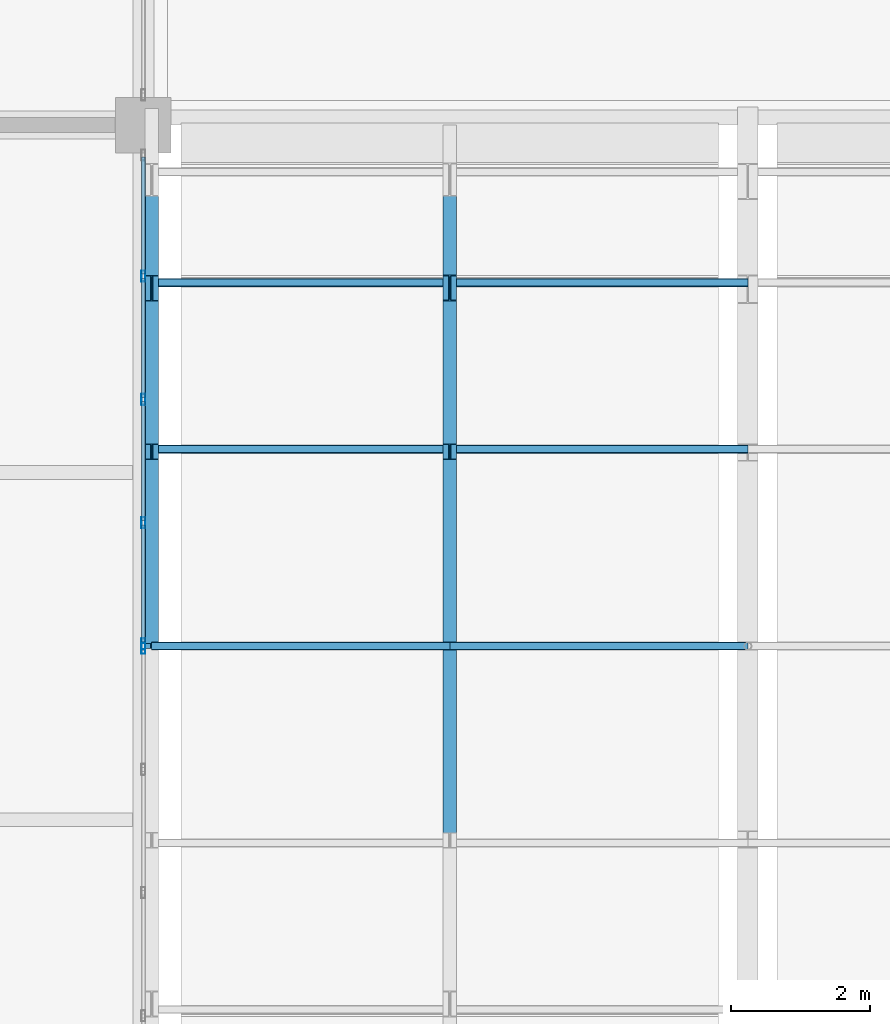
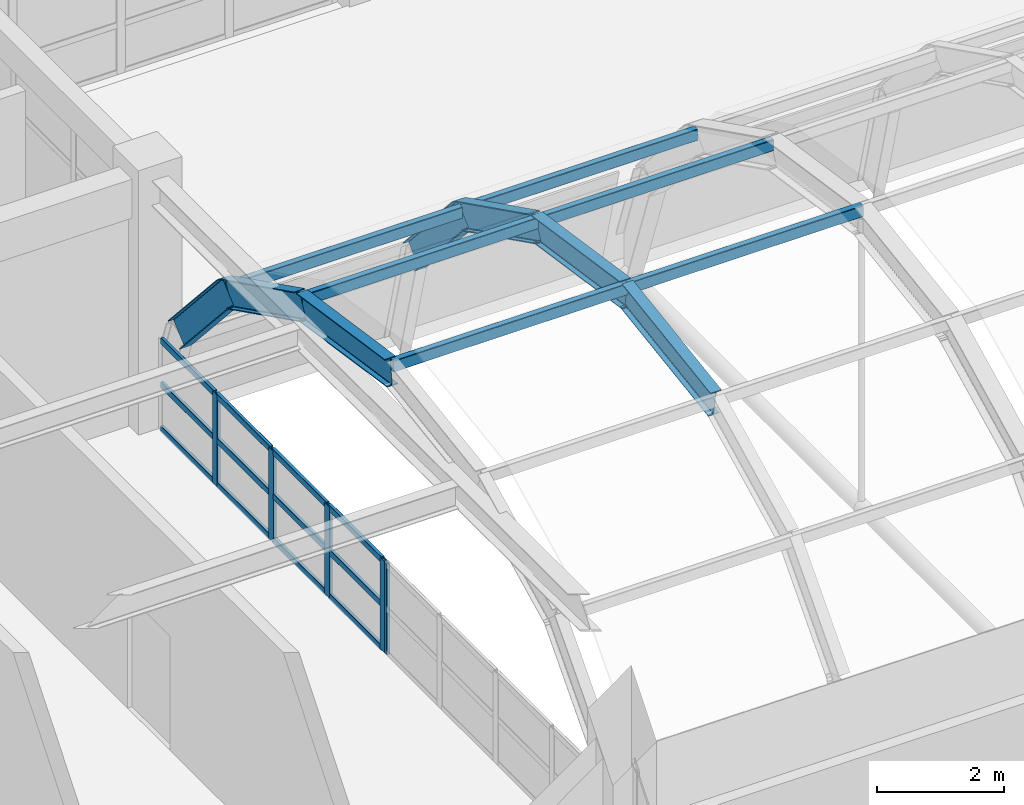
# One storey, part 43 of 124: 23 members, 7 beams, 2 elements without a shape of their own.
"""IFC4 building model written with IfcOpenShell, lengths in metres."""

from ifc_helpers import new_model, si_unit, derived_unit, direction, frame, origin, origin_2d, place, context, subcontext, project, spatial, hollow_rectangle, i_section, extrude, material, layer, layer_set, material_profile, profile_set, type_object, element, aggregate, save


model = new_model("IFC4")

# Units and contexts
model_context = context("Model", 3, precision=1e-05, world=origin(), true_north=direction((0.0, 1.0)))
body_context = subcontext(model_context, "Body", "Model", "MODEL_VIEW")
ifc_project = project(units=[si_unit("LENGTHUNIT", "METRE"), si_unit("AREAUNIT", "SQUARE_METRE"), si_unit("VOLUMEUNIT", "CUBIC_METRE"), si_unit("PLANEANGLEUNIT", "RADIAN"), si_unit("MASSUNIT", "GRAM", prefix="KILO"), derived_unit("THERMALTRANSMITTANCEUNIT", [(si_unit("MASSUNIT", "GRAM", prefix="KILO"), 1), (si_unit("TIMEUNIT", "SECOND"), -3), (si_unit("THERMODYNAMICTEMPERATUREUNIT", "KELVIN"), -1)])], contexts=[model_context])

# Site, building, storey
site_placement = place(None, origin())
site = spatial("IfcSite", under=ifc_project, at=site_placement, CompositionType="ELEMENT")
building_placement = place(site_placement, origin())
building = spatial("IfcBuilding", under=site, at=building_placement, Name="Qinzheling Arcade Emporium", CompositionType="ELEMENT")
storey_placement = place(building_placement, frame((0.0, 0.0, 16.5)))
storey = spatial("IfcBuildingStorey", under=building, at=storey_placement, Name="L04", CompositionType="ELEMENT", Elevation=16.5)

# Beams
ifc_material_1 = material(Name="Weathering steel Q355NH", Category="steel")
ifc_material_profile_1 = material_profile(ifc_material_1, i_section(OverallWidth=0.199951171875, OverallDepth=0.5, WebThickness=0.010009765625, FlangeThickness=0.01611328125, FilletRadius=0.01806640625, at=origin_2d()), Name="HN 500x200x10x16", Category="steel")
ifc_profile_set_1 = profile_set([ifc_material_profile_1], Name="Weathering steel Q355NH")
beam_type = type_object("IfcBeamType", Name="Arcade End Arch Rib HN500 Q355NH", PredefinedType="BEAM", material=ifc_profile_set_1)
beam_1_placement = place(storey_placement, frame((104.52001953125, 57.89990234375, 5.35009765625), z_axis=(0.0, 0.989205317867, -0.146536135829), x_axis=(-1.0, 0.0, 0.0)))
element("IfcBeam", 1, at=beam_1_placement, inside=storey, type_object=beam_type, Name="Arcade Arch Rib VLT-ARCADE-RIB-01-S05", PredefinedType="BEAM", context=body_context, shape_type="SweptSolid", body=[
    extrude(i_section(OverallWidth=0.199951171875, OverallDepth=0.5, WebThickness=0.010009765625, FlangeThickness=0.01611328125, FilletRadius=0.01806640625, at=origin_2d()), origin(), (0.0, 0.0, 1.0), 2.82568359375),
])
beam_2_placement = place(storey_placement, frame((104.52001953125, 60.695068359375, 4.93603515625), z_axis=(0.0, 0.89487186558, -0.44632313876), x_axis=(-1.0, 0.0, 0.0)))
element("IfcBeam", 2, at=beam_2_placement, inside=storey, type_object=beam_type, Name="Arcade Arch Rib VLT-ARCADE-RIB-01-S06", PredefinedType="BEAM", context=body_context, shape_type="SweptSolid", body=[
    extrude(i_section(OverallWidth=0.199951171875, OverallDepth=0.5, WebThickness=0.010009765625, FlangeThickness=0.01611328125, FilletRadius=0.01806640625, at=origin_2d()), origin(), (0.0, 0.0, 1.0), 2.6328125),
])
beam_3_placement = place(storey_placement, frame((104.52001953125, 63.051025390625, 3.760986328125), z_axis=(0.0, 0.667663021225, -0.744463625766), x_axis=(-1.0, 0.0, 0.0)))
element("IfcBeam", 3, at=beam_3_placement, inside=storey, type_object=beam_type, Name="Arcade Arch Rib VLT-ARCADE-RIB-01-S07", PredefinedType="BEAM", context=body_context, shape_type="SweptSolid", body=[
    extrude(i_section(OverallWidth=0.199951171875, OverallDepth=0.5, WebThickness=0.010009765625, FlangeThickness=0.01611328125, FilletRadius=0.01806640625, at=origin_2d()), origin(), (0.0, 0.0, 1.0), 2.333251953125),
])
beam_4_placement = place(storey_placement, frame((108.81005859375, 55.10400390625, 4.93701171875), z_axis=(0.0, 0.989160754907, 0.146836647166), x_axis=(-1.0, 0.0, 0.0)))
element("IfcBeam", 4, at=beam_4_placement, inside=storey, type_object=beam_type, Name="Arcade Sub-Rib VLT-ARCADE-SRIB-B01-S04", PredefinedType="BEAM", context=body_context, shape_type="SweptSolid", body=[
    extrude(i_section(OverallWidth=0.199951171875, OverallDepth=0.5, WebThickness=0.010009765625, FlangeThickness=0.01611328125, FilletRadius=0.01806640625, at=origin_2d()), origin(), (0.0, 0.0, 1.0), 2.826416015625),
])
beam_5_placement = place(storey_placement, frame((108.81005859375, 57.89990234375, 5.35205078125), z_axis=(0.0, 0.989162616989, -0.146824102758), x_axis=(-1.0, 0.0, 0.0)))
element("IfcBeam", 5, at=beam_5_placement, inside=storey, type_object=beam_type, Name="Arcade Sub-Rib VLT-ARCADE-SRIB-B01-S05", PredefinedType="BEAM", context=body_context, shape_type="SweptSolid", body=[
    extrude(i_section(OverallWidth=0.199951171875, OverallDepth=0.5, WebThickness=0.010009765625, FlangeThickness=0.01611328125, FilletRadius=0.01806640625, at=origin_2d()), origin(), (0.0, 0.0, 1.0), 2.82666015625),
])
beam_6_placement = place(storey_placement, frame((108.81005859375, 60.696044921875, 4.93701171875), z_axis=(0.0, 0.895093759776, -0.445877966725), x_axis=(-1.0, 0.0, 0.0)))
element("IfcBeam", 6, at=beam_6_placement, inside=storey, type_object=beam_type, Name="Arcade Sub-Rib VLT-ARCADE-SRIB-B01-S06", PredefinedType="BEAM", context=body_context, shape_type="SweptSolid", body=[
    extrude(i_section(OverallWidth=0.199951171875, OverallDepth=0.5, WebThickness=0.010009765625, FlangeThickness=0.01611328125, FilletRadius=0.01806640625, at=origin_2d()), origin(), (0.0, 0.0, 1.0), 2.633056640625),
])
beam_7_placement = place(storey_placement, frame((108.81005859375, 63.052978515625, 3.762939453125), z_axis=(0.0, 0.667513023581, -0.744598122043), x_axis=(-1.0, 0.0, 0.0)))
element("IfcBeam", 7, at=beam_7_placement, inside=storey, type_object=beam_type, Name="Arcade Sub-Rib VLT-ARCADE-SRIB-B01-S07", PredefinedType="BEAM", context=body_context, shape_type="SweptSolid", body=[
    extrude(i_section(OverallWidth=0.199951171875, OverallDepth=0.5, WebThickness=0.010009765625, FlangeThickness=0.01611328125, FilletRadius=0.01806640625, at=origin_2d()), origin(), (0.0, 0.0, 1.0), 2.334228515625),
])

# Members
ifc_material_profile_2 = material_profile(ifc_material_1, hollow_rectangle(XDim=0.1201171875, YDim=0.219970703125, WallThickness=0.008056640625, InnerFilletRadius=0.008056640625, OuterFilletRadius=0.01611328125, at=origin_2d()), Name="RHS 220x120x8", Category="steel")
ifc_profile_set_2 = profile_set([ifc_material_profile_2], Name="Weathering steel Q355NH")
member_type_1 = type_object("IfcMemberType", Name="Arcade Skylight Purlin RHS220 Q355NH", PredefinedType="PURLIN", material=ifc_profile_set_2)
for number, where, z_axis, x_axis, name in (
    (8, (104.52001953125, 57.89990234375, 5.47802734375), (1.0, 0.0, 0.0), (0.0, 1.0, 0.0), "Arcade Skylight Purlin VLT-ARCADE-PUR-B01-N04-1"),
    (9, (108.81005859375, 57.89990234375, 5.47802734375), (1.0, 0.0, 0.0), (0.0, 1.0, 0.0), "Arcade Skylight Purlin VLT-ARCADE-PUR-B01-N04-2"),
    (10, (104.52001953125, 60.73388671875, 5.031005859375), (1.0, 0.0, 0.0), (0.0, 1.0, 0.0), "Arcade Skylight Purlin VLT-ARCADE-PUR-B01-N05-1"),
    (11, (108.81005859375, 60.73388671875, 5.031005859375), (1.0, 0.0, 0.0), (0.0, 1.0, 0.0), "Arcade Skylight Purlin VLT-ARCADE-PUR-B01-N05-2"),
    (12, (104.52001953125, 63.132080078125, 3.778076171875), (1.0, 0.0, 0.0), (0.0, 1.0, 0.0), "Arcade Skylight Purlin VLT-ARCADE-PUR-B01-N06-1"),
    (13, (108.81005859375, 63.132080078125, 3.778076171875), (1.0, 0.0, 0.0), (0.0, 1.0, 0.0), "Arcade Skylight Purlin VLT-ARCADE-PUR-B01-N06-2"),
):
    element("IfcMember", number, at=place(storey_placement, frame(where, z_axis=z_axis, x_axis=x_axis)), inside=storey, type_object=member_type_1, Name=name, PredefinedType="PURLIN", context=body_context, shape_type="SweptSolid", body=[
        extrude(hollow_rectangle(XDim=0.1201171875, YDim=0.219970703125, WallThickness=0.008056640625, InnerFilletRadius=0.008056640625, OuterFilletRadius=0.01611328125, at=origin_2d()), origin(), (0.0, 0.0, 1.0), 4.2900390625),
    ])

# Curtain wall, members
ifc_material_2 = material(Name="Anodised aluminium and solar-control double glazing", Category="aluminium")
ifc_layer = layer(ifc_material_2, 0.159912109375, Name="Anodised aluminium and solar-control double glazing", Category="aluminium")
ifc_layer_set = layer_set([ifc_layer], Name="Anodised aluminium and solar-control double glazing")
curtain_wall_type = type_object("IfcCurtainWallType", Name="Atrium Clerestory Curtain Wall", PredefinedType="NOTDEFINED", material=ifc_layer_set)
curtain_wall_1_placement = place(storey_placement, origin())
curtain_wall_1 = element("IfcCurtainWall", 14, at=curtain_wall_1_placement, inside=storey, type_object=curtain_wall_type, Name="Curtain Wall CW-L04-251", PredefinedType="NOTDEFINED")
ifc_material_3 = material(Name="Anodised aluminium 6063-T6", Category="aluminium")
ifc_material_profile_3 = material_profile(ifc_material_3, hollow_rectangle(XDim=0.06005859375, YDim=0.159912109375, WallThickness=0.00390625, InnerFilletRadius=0.00390625, OuterFilletRadius=0.008056640625, at=origin_2d()), Name="RHS 160x60x4", Category="aluminium")
ifc_profile_set_3 = profile_set([ifc_material_profile_3], Name="Anodised aluminium 6063-T6")
member_type_2 = type_object("IfcMemberType", Name="Curtain Wall Mullion RHS160x60", PredefinedType="MULLION", material=ifc_profile_set_3)
member_1_placement = place(storey_placement, frame((104.39990234375, 63.22412109375, 0.0), z_axis=(0.0, 0.0, 1.0), x_axis=(1.0, 0.0, 0.0)))
member_1 = element("IfcMember", 15, at=member_1_placement, type_object=member_type_2, Name="CW03 mullion 2", PredefinedType="MULLION", context=body_context, shape_type="SweptSolid", body=[
    extrude(hollow_rectangle(XDim=0.06005859375, YDim=0.159912109375, WallThickness=0.00390625, InnerFilletRadius=0.00390625, OuterFilletRadius=0.008056640625, at=origin_2d()), origin(), (0.0, 0.0, 1.0), 1.759033203125),
])
member_2_placement = place(storey_placement, frame((104.39990234375, 61.449951171875, 0.0), z_axis=(0.0, 0.0, 1.0), x_axis=(1.0, 0.0, 0.0)))
member_2 = element("IfcMember", 16, at=member_2_placement, type_object=member_type_2, Name="CW03 mullion 3", PredefinedType="MULLION", context=body_context, shape_type="SweptSolid", body=[
    extrude(hollow_rectangle(XDim=0.06005859375, YDim=0.159912109375, WallThickness=0.00390625, InnerFilletRadius=0.00390625, OuterFilletRadius=0.008056640625, at=origin_2d()), origin(), (0.0, 0.0, 1.0), 1.759033203125),
])
member_3_placement = place(storey_placement, frame((104.39990234375, 59.676025390625, 0.0), z_axis=(0.0, 0.0, 1.0), x_axis=(1.0, 0.0, 0.0)))
member_3 = element("IfcMember", 17, at=member_3_placement, type_object=member_type_2, Name="CW03 mullion 4", PredefinedType="MULLION", context=body_context, shape_type="SweptSolid", body=[
    extrude(hollow_rectangle(XDim=0.06005859375, YDim=0.159912109375, WallThickness=0.00390625, InnerFilletRadius=0.00390625, OuterFilletRadius=0.008056640625, at=origin_2d()), origin(), (0.0, 0.0, 1.0), 1.759033203125),
])
member_4_placement = place(storey_placement, frame((104.39990234375, 57.931884765625, 0.0), z_axis=(0.0, 0.0, 1.0), x_axis=(1.0, 0.0, 0.0)))
member_4 = element("IfcMember", 18, at=member_4_placement, type_object=member_type_2, Name="CW03 mullion 5", PredefinedType="MULLION", context=body_context, shape_type="SweptSolid", body=[
    extrude(hollow_rectangle(XDim=0.06005859375, YDim=0.159912109375, WallThickness=0.00390625, InnerFilletRadius=0.00390625, OuterFilletRadius=0.008056640625, at=origin_2d()), origin(), (0.0, 0.0, 1.0), 1.759033203125),
])

# Curtain wall, member
curtain_wall_2_placement = place(storey_placement, origin())
curtain_wall_2 = element("IfcCurtainWall", 19, at=curtain_wall_2_placement, inside=storey, type_object=curtain_wall_type, Name="Curtain Wall CW-L04-252", PredefinedType="NOTDEFINED")
member_5_placement = place(storey_placement, frame((104.39990234375, 57.867919921875, 0.0), z_axis=(0.0, 0.0, 1.0), x_axis=(1.0, 0.0, 0.0)))
member_5 = element("IfcMember", 20, at=member_5_placement, type_object=member_type_2, Name="CW03 mullion 1", PredefinedType="MULLION", context=body_context, shape_type="SweptSolid", body=[
    extrude(hollow_rectangle(XDim=0.06005859375, YDim=0.159912109375, WallThickness=0.00390625, InnerFilletRadius=0.00390625, OuterFilletRadius=0.008056640625, at=origin_2d()), origin(), (0.0, 0.0, 1.0), 1.759033203125),
])
aggregate(curtain_wall_2, [member_5])

# Member
ifc_material_profile_4 = material_profile(ifc_material_3, hollow_rectangle(XDim=0.06005859375, YDim=0.1201171875, WallThickness=0.00390625, InnerFilletRadius=0.00390625, OuterFilletRadius=0.008056640625, at=origin_2d()), Name="RHS 120x60x4", Category="aluminium")
ifc_profile_set_4 = profile_set([ifc_material_profile_4], Name="Anodised aluminium 6063-T6")
member_type_3 = type_object("IfcMemberType", Name="Curtain Wall Transom RHS120x60", PredefinedType="USERDEFINED", material=ifc_profile_set_4)
member_6_placement = place(storey_placement, frame((104.39990234375, 64.93798828125, 0.030029296875), z_axis=(0.0, -1.0, 0.0), x_axis=(1.0, 0.0, 0.0)))
member_6 = element("IfcMember", 21, at=member_6_placement, type_object=member_type_3, Name="CW03 transom 1.1", ObjectType="TRANSOM", PredefinedType="USERDEFINED", context=body_context, shape_type="SweptSolid", body=[
    extrude(hollow_rectangle(XDim=0.06005859375, YDim=0.1201171875, WallThickness=0.00390625, InnerFilletRadius=0.00390625, OuterFilletRadius=0.008056640625, at=origin_2d()), origin(), (0.0, 0.0, 1.0), 1.68408203125),
])

member_7_placement = place(storey_placement, frame((104.39990234375, 64.93798828125, 0.8798828125), z_axis=(0.0, -1.0, 0.0), x_axis=(1.0, 0.0, 0.0)))
member_7 = element("IfcMember", 22, at=member_7_placement, type_object=member_type_3, Name="CW03 transom 1.2", ObjectType="TRANSOM", PredefinedType="USERDEFINED", context=body_context, shape_type="SweptSolid", body=[
    extrude(hollow_rectangle(XDim=0.06005859375, YDim=0.1201171875, WallThickness=0.00390625, InnerFilletRadius=0.00390625, OuterFilletRadius=0.008056640625, at=origin_2d()), origin(), (0.0, 0.0, 1.0), 1.68408203125),
])

member_8_placement = place(storey_placement, frame((104.39990234375, 64.93798828125, 1.72900390625), z_axis=(0.0, -1.0, 0.0), x_axis=(1.0, 0.0, 0.0)))
member_8 = element("IfcMember", 23, at=member_8_placement, type_object=member_type_3, Name="CW03 transom 1.3", ObjectType="TRANSOM", PredefinedType="USERDEFINED", context=body_context, shape_type="SweptSolid", body=[
    extrude(hollow_rectangle(XDim=0.06005859375, YDim=0.1201171875, WallThickness=0.00390625, InnerFilletRadius=0.00390625, OuterFilletRadius=0.008056640625, at=origin_2d()), origin(), (0.0, 0.0, 1.0), 1.68408203125),
])

member_9_placement = place(storey_placement, frame((104.39990234375, 63.194091796875, 0.030029296875), z_axis=(0.0, -1.0, 0.0), x_axis=(1.0, 0.0, 0.0)))
member_9 = element("IfcMember", 24, at=member_9_placement, type_object=member_type_3, Name="CW03 transom 2.1", ObjectType="TRANSOM", PredefinedType="USERDEFINED", context=body_context, shape_type="SweptSolid", body=[
    extrude(hollow_rectangle(XDim=0.06005859375, YDim=0.1201171875, WallThickness=0.00390625, InnerFilletRadius=0.00390625, OuterFilletRadius=0.008056640625, at=origin_2d()), origin(), (0.0, 0.0, 1.0), 1.714111328125),
])

member_10_placement = place(storey_placement, frame((104.39990234375, 63.194091796875, 0.8798828125), z_axis=(0.0, -1.0, 0.0), x_axis=(1.0, 0.0, 0.0)))
member_10 = element("IfcMember", 25, at=member_10_placement, type_object=member_type_3, Name="CW03 transom 2.2", ObjectType="TRANSOM", PredefinedType="USERDEFINED", context=body_context, shape_type="SweptSolid", body=[
    extrude(hollow_rectangle(XDim=0.06005859375, YDim=0.1201171875, WallThickness=0.00390625, InnerFilletRadius=0.00390625, OuterFilletRadius=0.008056640625, at=origin_2d()), origin(), (0.0, 0.0, 1.0), 1.714111328125),
])

member_11_placement = place(storey_placement, frame((104.39990234375, 63.194091796875, 1.72900390625), z_axis=(0.0, -1.0, 0.0), x_axis=(1.0, 0.0, 0.0)))
member_11 = element("IfcMember", 26, at=member_11_placement, type_object=member_type_3, Name="CW03 transom 2.3", ObjectType="TRANSOM", PredefinedType="USERDEFINED", context=body_context, shape_type="SweptSolid", body=[
    extrude(hollow_rectangle(XDim=0.06005859375, YDim=0.1201171875, WallThickness=0.00390625, InnerFilletRadius=0.00390625, OuterFilletRadius=0.008056640625, at=origin_2d()), origin(), (0.0, 0.0, 1.0), 1.714111328125),
])

member_12_placement = place(storey_placement, frame((104.39990234375, 61.419921875, 0.030029296875), z_axis=(0.0, -1.0, 0.0), x_axis=(1.0, 0.0, 0.0)))
member_12 = element("IfcMember", 27, at=member_12_placement, type_object=member_type_3, Name="CW03 transom 3.1", ObjectType="TRANSOM", PredefinedType="USERDEFINED", context=body_context, shape_type="SweptSolid", body=[
    extrude(hollow_rectangle(XDim=0.06005859375, YDim=0.1201171875, WallThickness=0.00390625, InnerFilletRadius=0.00390625, OuterFilletRadius=0.008056640625, at=origin_2d()), origin(), (0.0, 0.0, 1.0), 1.7138671875),
])

member_13_placement = place(storey_placement, frame((104.39990234375, 61.419921875, 0.8798828125), z_axis=(0.0, -1.0, 0.0), x_axis=(1.0, 0.0, 0.0)))
member_13 = element("IfcMember", 28, at=member_13_placement, type_object=member_type_3, Name="CW03 transom 3.2", ObjectType="TRANSOM", PredefinedType="USERDEFINED", context=body_context, shape_type="SweptSolid", body=[
    extrude(hollow_rectangle(XDim=0.06005859375, YDim=0.1201171875, WallThickness=0.00390625, InnerFilletRadius=0.00390625, OuterFilletRadius=0.008056640625, at=origin_2d()), origin(), (0.0, 0.0, 1.0), 1.7138671875),
])

member_14_placement = place(storey_placement, frame((104.39990234375, 61.419921875, 1.72900390625), z_axis=(0.0, -1.0, 0.0), x_axis=(1.0, 0.0, 0.0)))
member_14 = element("IfcMember", 29, at=member_14_placement, type_object=member_type_3, Name="CW03 transom 3.3", ObjectType="TRANSOM", PredefinedType="USERDEFINED", context=body_context, shape_type="SweptSolid", body=[
    extrude(hollow_rectangle(XDim=0.06005859375, YDim=0.1201171875, WallThickness=0.00390625, InnerFilletRadius=0.00390625, OuterFilletRadius=0.008056640625, at=origin_2d()), origin(), (0.0, 0.0, 1.0), 1.7138671875),
])

member_15_placement = place(storey_placement, frame((104.39990234375, 59.64599609375, 0.030029296875), z_axis=(0.0, -1.0, 0.0), x_axis=(1.0, 0.0, 0.0)))
member_15 = element("IfcMember", 30, at=member_15_placement, type_object=member_type_3, Name="CW03 transom 4.1", ObjectType="TRANSOM", PredefinedType="USERDEFINED", context=body_context, shape_type="SweptSolid", body=[
    extrude(hollow_rectangle(XDim=0.06005859375, YDim=0.1201171875, WallThickness=0.00390625, InnerFilletRadius=0.00390625, OuterFilletRadius=0.008056640625, at=origin_2d()), origin(), (0.0, 0.0, 1.0), 1.68408203125),
])

member_16_placement = place(storey_placement, frame((104.39990234375, 59.64599609375, 0.8798828125), z_axis=(0.0, -1.0, 0.0), x_axis=(1.0, 0.0, 0.0)))
member_16 = element("IfcMember", 31, at=member_16_placement, type_object=member_type_3, Name="CW03 transom 4.2", ObjectType="TRANSOM", PredefinedType="USERDEFINED", context=body_context, shape_type="SweptSolid", body=[
    extrude(hollow_rectangle(XDim=0.06005859375, YDim=0.1201171875, WallThickness=0.00390625, InnerFilletRadius=0.00390625, OuterFilletRadius=0.008056640625, at=origin_2d()), origin(), (0.0, 0.0, 1.0), 1.68408203125),
])

member_17_placement = place(storey_placement, frame((104.39990234375, 59.64599609375, 1.72900390625), z_axis=(0.0, -1.0, 0.0), x_axis=(1.0, 0.0, 0.0)))
member_17 = element("IfcMember", 32, at=member_17_placement, type_object=member_type_3, Name="CW03 transom 4.3", ObjectType="TRANSOM", PredefinedType="USERDEFINED", context=body_context, shape_type="SweptSolid", body=[
    extrude(hollow_rectangle(XDim=0.06005859375, YDim=0.1201171875, WallThickness=0.00390625, InnerFilletRadius=0.00390625, OuterFilletRadius=0.008056640625, at=origin_2d()), origin(), (0.0, 0.0, 1.0), 1.68408203125),
])

aggregate(curtain_wall_1, [member_1, member_2, member_3, member_4, member_6, member_7, member_8, member_9, member_10, member_11, member_12, member_13, member_14, member_15, member_16, member_17])

save(model, "model.ifc")
